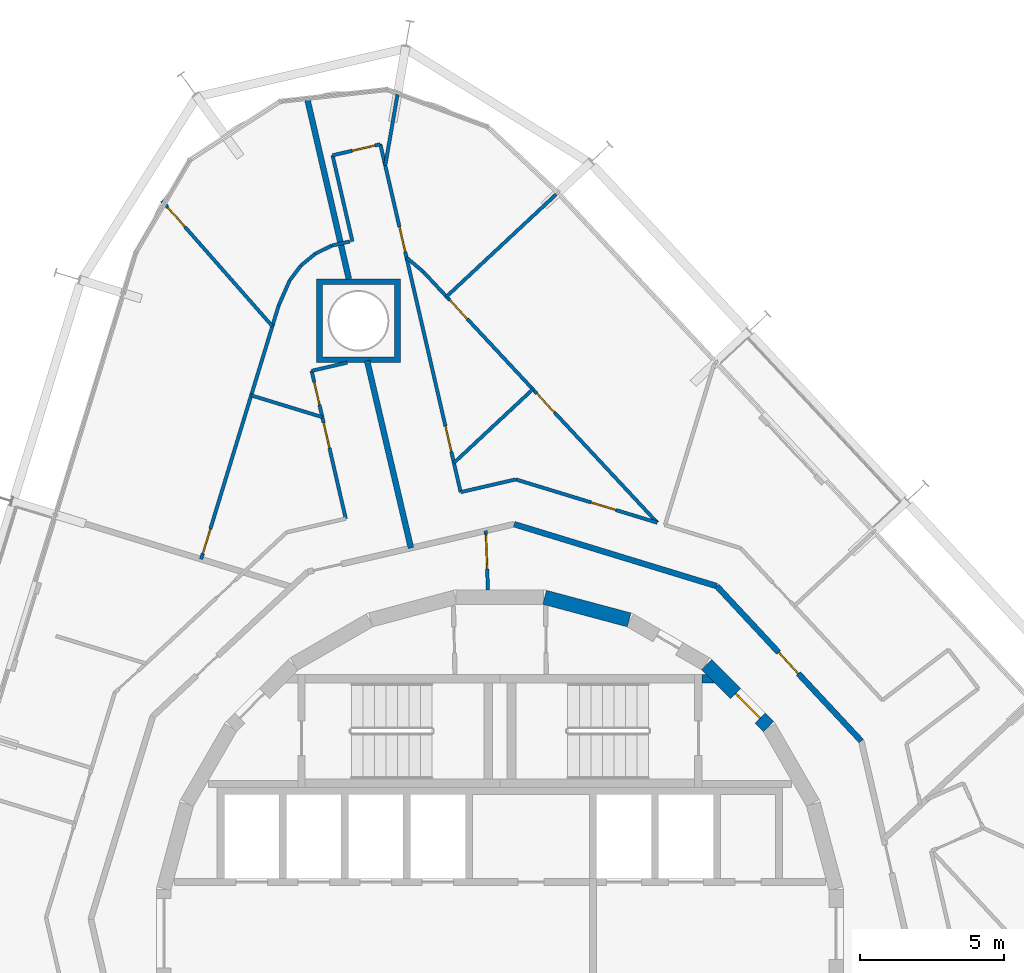
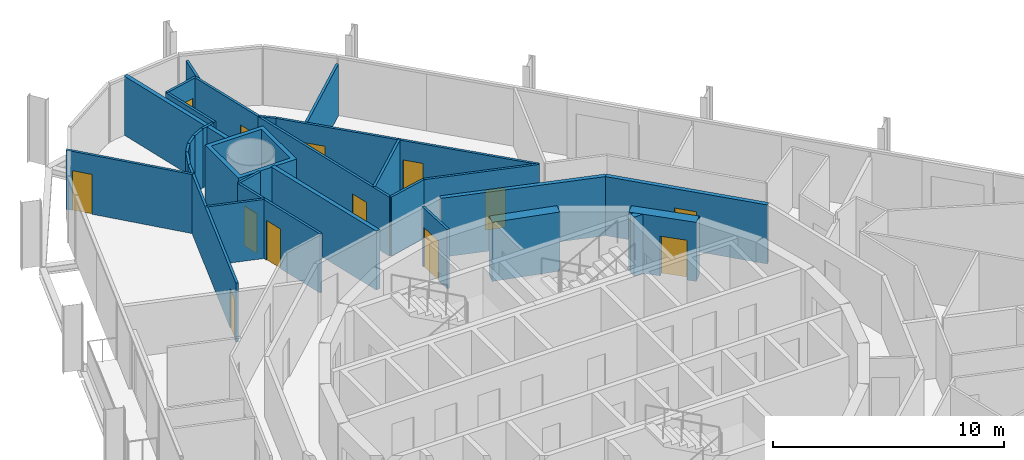
# One storey, part 16 of 18: 30 walls, 13 doors, 13 openings.
"""IFC4 building model written with IfcOpenShell, lengths in metres."""

from ifc_helpers import new_model, si_unit, direction, frame, frame_2d, origin, place, context, subcontext, project, spatial, polyline, rectangle, outline, extrude, material, layer, layer_set, type_object, element, fill, save


model = new_model("IFC4")

# Units and contexts
model_context = context("Model", 3, precision=1e-05, world=origin(), true_north=direction((0.0, 1.0)))
body_context = subcontext(model_context, "Body", "Model", "MODEL_VIEW")
ifc_project = project(units=[si_unit("LENGTHUNIT", "METRE"), si_unit("AREAUNIT", "SQUARE_METRE"), si_unit("VOLUMEUNIT", "CUBIC_METRE"), si_unit("PLANEANGLEUNIT", "RADIAN"), si_unit("MASSUNIT", "GRAM", prefix="KILO")], contexts=[model_context])

# Site, building, storey
site_placement = place(None, origin())
site = spatial("IfcSite", under=ifc_project, at=site_placement, CompositionType="ELEMENT")
building_placement = place(site_placement, origin())
building = spatial("IfcBuilding", under=site, at=building_placement, Name="Spindle Arch Residences", CompositionType="ELEMENT")
storey_placement = place(building_placement, frame((0.0, 0.0, 123.89990234375)))
storey = spatial("IfcBuildingStorey", under=building, at=storey_placement, Name="L30", CompositionType="ELEMENT", Elevation=123.89990234375)

# Wall, opening, door
ifc_material_1 = material(Name="Concrete C50/60", Category="concrete")
ifc_layer_1 = layer(ifc_material_1, 0.5)
ifc_layer_set_1 = layer_set([ifc_layer_1], Name="Core outline wall 500")
wall_type_1 = type_object("IfcWallType", Name="Core outline wall 500", PredefinedType="SHEAR", material=ifc_layer_set_1)
wall_1_placement = place(storey_placement, frame((9.30810546875, 7.163818359375, 0.0), z_axis=(0.0, 0.0, 1.0), x_axis=(-0.707106781187, 0.707106781187, 0.0)))
wall_1 = element("IfcWall", 1, at=wall_1_placement, inside=storey, type_object=wall_type_1, Name="Core outline wall 9", PredefinedType="SHEAR", context=body_context, shape_type="SweptSolid", body=[
    extrude(rectangle(XDim=3.032470703125, YDim=0.5, at=frame_2d((1.51611328125, 0.0))), origin(), (0.0, 0.0, 1.0), 3.1201171875),
])
opening_1_placement = place(wall_1_placement, frame((0.416259765625, 0.0, 0.0)))
opening_1 = element("IfcOpeningElement", 2, at=opening_1_placement, cuts=wall_1, Name="Opening R3B1-AD01", PredefinedType="OPENING", context=body_context, shape_type="SweptSolid", body=[
    extrude(rectangle(XDim=1.199951171875, YDim=2.10009765625, at=frame_2d((0.60009765625, 1.050048828125))), frame((0.0, 0.260009765625, 0.0), z_axis=(0.0, -1.0, 0.0), x_axis=(1.0, 0.0, 0.0)), (0.0, 0.0, 1.0), 0.52001953125),
])
ifc_material_2 = material(Name="Steel, fire-resisting door", Category="steel")
door_type_1 = type_object("IfcDoorType", Name="Stair airlock door 1200x2100", OperationType="SINGLE_SWING_LEFT", PredefinedType="DOOR", material=ifc_material_2)
door_1_placement = place(opening_1_placement, origin())
door_1 = element("IfcDoor", 3, at=door_1_placement, inside=storey, type_object=door_type_1, Name="Stair airlock door R3B1-AD01", OperationType="SINGLE_SWING_RIGHT", OverallHeight=2.10009765625, OverallWidth=1.199951171875, PredefinedType="DOOR", context=body_context, shape_type="SweptSolid", body=[
    extrude(rectangle(XDim=1.199951171875, YDim=2.10009765625, at=frame_2d((0.60009765625, 1.050048828125))), frame((0.0, 0.02490234375, 0.0), z_axis=(0.0, -1.0, 0.0), x_axis=(1.0, 0.0, 0.0)), (0.0, 0.0, 1.0), 0.050048828125),
])
fill(opening_1, door_1)

# Wall
wall_2_placement = place(storey_placement, frame((4.479248046875, 10.858154296875, 0.0), z_axis=(0.0, 0.0, 1.0), x_axis=(-0.965948410781, 0.258734743916, 0.0)))
element("IfcWall", 4, at=wall_2_placement, inside=storey, type_object=wall_type_1, Name="Core outline wall 11", PredefinedType="SHEAR", context=body_context, shape_type="SweptSolid", body=[
    extrude(rectangle(XDim=3.03271484375, YDim=0.5, at=frame_2d((1.516357421875, 0.0))), origin(), (0.0, 0.0, 1.0), 3.1201171875),
])

# Wall, opening, door
ifc_material_3 = material(Name="Plasterboard on steel studs", Category="steel")
ifc_layer_2 = layer(ifc_material_3, 0.1201171875)
ifc_layer_set_2 = layer_set([ifc_layer_2], Name="Corridor division wall 120")
wall_type_2 = type_object("IfcWallType", Name="Corridor division wall 120", PredefinedType="PARTITIONING", material=ifc_layer_set_2)
wall_3_placement = place(storey_placement, frame((-0.487060546875, 13.947998046875, 0.0), z_axis=(0.0, 0.0, 1.0), x_axis=(0.034859752231, -0.999392214135, 0.0)))
wall_3 = element("IfcWall", 5, at=wall_3_placement, inside=storey, type_object=wall_type_2, Name="Corridor division wall R3B1-W001", PredefinedType="PARTITIONING", context=body_context, shape_type="SweptSolid", body=[
    extrude(rectangle(XDim=2.052001953125, YDim=0.1201171875, at=frame_2d((1.02587890625, 0.0))), origin(), (0.0, 0.0, 1.0), 3.1201171875),
])
opening_2_placement = place(wall_3_placement, frame((0.125, 0.0, 0.0)))
opening_2 = element("IfcOpeningElement", 6, at=opening_2_placement, cuts=wall_3, Name="Opening R3B1-CD01", PredefinedType="OPENING", context=body_context, shape_type="SweptSolid", body=[
    extrude(rectangle(XDim=1.199951171875, YDim=2.10009765625, at=frame_2d((0.60009765625, 1.050048828125))), frame((0.0, 0.070068359375, 0.0), z_axis=(0.0, -1.0, 0.0), x_axis=(1.0, 0.0, 0.0)), (0.0, 0.0, 1.0), 0.14013671875),
])
ifc_material_4 = material(Name="Steel, fire-resisting door", Category="steel")
door_type_2 = type_object("IfcDoorType", Name="Corridor division door 1200x2100", OperationType="NOTDEFINED", PredefinedType="DOOR", material=ifc_material_4)
door_2_placement = place(opening_2_placement, origin())
door_2 = element("IfcDoor", 7, at=door_2_placement, inside=storey, type_object=door_type_2, Name="Corridor division door R3B1-CD01", OperationType="DOUBLE_DOOR_SINGLE_SWING", OverallHeight=2.10009765625, OverallWidth=1.199951171875, PredefinedType="DOOR", context=body_context, shape_type="SweptSolid", body=[
    extrude(rectangle(XDim=1.199951171875, YDim=2.10009765625, at=frame_2d((0.60009765625, 1.050048828125))), frame((0.0, 0.02490234375, 0.0), z_axis=(0.0, -1.0, 0.0), x_axis=(1.0, 0.0, 0.0)), (0.0, 0.0, 1.0), 0.050048828125),
])
fill(opening_2, door_2)

ifc_material_5 = material(Name="Calcium silicate block, plastered")
ifc_layer_3 = layer(ifc_material_5, 0.199951171875)
ifc_layer_set_3 = layer_set([ifc_layer_3], Name="Corridor wall 200")
wall_type_3 = type_object("IfcWallType", Name="Corridor wall 200", PredefinedType="STANDARD", material=ifc_layer_set_3)
wall_4_placement = place(storey_placement, frame((12.523193359375, 6.65869140625, 0.0), z_axis=(0.0, 0.0, 1.0), x_axis=(-0.682001841105, 0.731350455479, 0.0)))
wall_4 = element("IfcWall", 8, at=wall_4_placement, inside=storey, type_object=wall_type_3, Name="Corridor wall R3B1-W005", PredefinedType="STANDARD", context=body_context, shape_type="SweptSolid", body=[
    extrude(rectangle(XDim=7.341796875, YDim=0.199951171875, at=frame_2d((3.6708984375, 0.0))), origin(), (0.0, 0.0, 1.0), 3.1201171875),
])
opening_3_placement = place(wall_4_placement, frame((3.199951171875, 0.0, 0.0)))
opening_3 = element("IfcOpeningElement", 9, at=opening_3_placement, cuts=wall_4, Name="Opening R3B1-FD01", PredefinedType="OPENING", context=body_context, shape_type="SweptSolid", body=[
    extrude(rectangle(XDim=1.0, YDim=2.10009765625, at=frame_2d((0.5, 1.050048828125))), frame((0.0, 0.10986328125, 0.0), z_axis=(0.0, -1.0, 0.0), x_axis=(1.0, 0.0, 0.0)), (0.0, 0.0, 1.0), 0.219970703125),
])
ifc_material_6 = material(Name="Timber, fire-resisting door set", Category="wood")
door_type_3 = type_object("IfcDoorType", Name="Flat entrance door 1000x2100", OperationType="NOTDEFINED", PredefinedType="DOOR", material=ifc_material_6)
door_3_placement = place(opening_3_placement, origin())
door_3 = element("IfcDoor", 10, at=door_3_placement, inside=storey, type_object=door_type_3, Name="Flat entrance door R3B1-FD01", OperationType="SINGLE_SWING_RIGHT", OverallHeight=2.10009765625, OverallWidth=1.0, PredefinedType="DOOR", context=body_context, shape_type="SweptSolid", body=[
    extrude(rectangle(XDim=1.0, YDim=2.10009765625, at=frame_2d((0.5, 1.050048828125))), frame((0.0, 0.02490234375, 0.0), z_axis=(0.0, -1.0, 0.0), x_axis=(1.0, 0.0, 0.0)), (0.0, 0.0, 1.0), 0.050048828125),
])
fill(opening_3, door_3)

# Wall
wall_5_placement = place(storey_placement, frame((7.51611328125, 12.028076171875, 0.0), z_axis=(0.0, 0.0, 1.0), x_axis=(-0.956306642771, 0.292365533182, 0.0)))
element("IfcWall", 11, at=wall_5_placement, inside=storey, type_object=wall_type_3, Name="Corridor wall R3B1-W006", PredefinedType="STANDARD", context=body_context, shape_type="SweptSolid", body=[
    extrude(rectangle(XDim=7.341796875, YDim=0.199951171875, at=frame_2d((3.6708984375, 0.0))), origin(), (0.0, 0.0, 1.0), 3.1201171875),
])

# Wall, opening, door
ifc_material_7 = material(Name="Plasterboard on steel studs", Category="steel")
ifc_layer_4 = layer(ifc_material_7, 0.1201171875)
ifc_layer_set_4 = layer_set([ifc_layer_4], Name="Flat partition 120")
wall_type_4 = type_object("IfcWallType", Name="Flat partition 120", PredefinedType="PARTITIONING", material=ifc_layer_set_4)
wall_6_placement = place(storey_placement, frame((5.45263671875, 14.2275390625, 0.0), z_axis=(0.0, 0.0, 1.0), x_axis=(-0.95630868333, 0.292358858576, 0.0)))
wall_6 = element("IfcWall", 12, at=wall_6_placement, inside=storey, type_object=wall_type_4, Name="Flat partition R3B1-W033", PredefinedType="PARTITIONING", context=body_context, shape_type="SweptSolid", body=[
    extrude(rectangle(XDim=5.12744140625, YDim=0.1201171875, at=frame_2d((2.563720703125, 0.0))), origin(), (0.0, 0.0, 1.0), 3.1201171875),
])
opening_4_placement = place(wall_6_placement, frame((1.5, 0.0, 0.0)))
opening_4 = element("IfcOpeningElement", 13, at=opening_4_placement, cuts=wall_6, Name="Opening R3B1-ID03", PredefinedType="OPENING", context=body_context, shape_type="SweptSolid", body=[
    extrude(rectangle(XDim=0.89990234375, YDim=2.10009765625, at=frame_2d((0.449951171875, 1.050048828125))), frame((0.0, 0.070068359375, 0.0), z_axis=(0.0, -1.0, 0.0), x_axis=(1.0, 0.0, 0.0)), (0.0, 0.0, 1.0), 0.14013671875),
])
ifc_material_8 = material(Name="Timber door set", Category="wood")
door_type_4 = type_object("IfcDoorType", Name="Room door 900x2100", OperationType="NOTDEFINED", PredefinedType="DOOR", material=ifc_material_8)
door_4_placement = place(opening_4_placement, origin())
door_4 = element("IfcDoor", 14, at=door_4_placement, inside=storey, type_object=door_type_4, Name="Room door R3B1-ID03", OperationType="SINGLE_SWING_RIGHT", OverallHeight=2.10009765625, OverallWidth=0.89990234375, PredefinedType="DOOR", context=body_context, shape_type="SweptSolid", body=[
    extrude(rectangle(XDim=0.89990234375, YDim=2.10009765625, at=frame_2d((0.449951171875, 1.050048828125))), frame((0.0, 0.02490234375, 0.0), z_axis=(0.0, -1.0, 0.0), x_axis=(1.0, 0.0, 0.0)), (0.0, 0.0, 1.0), 0.050048828125),
])
fill(opening_4, door_4)

# Wall
wall_7_placement = place(storey_placement, frame((0.54931640625, 15.7265625, 0.0), z_axis=(0.0, 0.0, 1.0), x_axis=(-0.974374390785, -0.22493231556, 0.0)))
element("IfcWall", 15, at=wall_7_placement, inside=storey, type_object=wall_type_4, Name="Flat partition R3B1-W034", PredefinedType="PARTITIONING", context=body_context, shape_type="SweptSolid", body=[
    extrude(rectangle(XDim=1.959228515625, YDim=0.1201171875, at=frame_2d((0.9794921875, 0.0))), origin(), (0.0, 0.0, 1.0), 3.1201171875),
])

# Wall, opening, door
wall_8_placement = place(storey_placement, frame((-1.359619140625, 15.285888671875, 0.0), z_axis=(0.0, 0.0, 1.0), x_axis=(-0.224974943676, 0.97436454919, 0.0)))
wall_8 = element("IfcWall", 16, at=wall_8_placement, inside=storey, type_object=wall_type_4, Name="Flat partition R3B1-W035", PredefinedType="PARTITIONING", context=body_context, shape_type="SweptSolid", body=[
    extrude(rectangle(XDim=8.3408203125, YDim=0.1201171875, at=frame_2d((4.17041015625, 0.0))), origin(), (0.0, 0.0, 1.0), 3.1201171875),
])
opening_5_placement = place(wall_8_placement, frame((1.441162109375, 0.0, 0.0)))
opening_5 = element("IfcOpeningElement", 17, at=opening_5_placement, cuts=wall_8, Name="Opening R3B1-ID05", PredefinedType="OPENING", context=body_context, shape_type="SweptSolid", body=[
    extrude(rectangle(XDim=0.89990234375, YDim=2.10009765625, at=frame_2d((0.449951171875, 1.050048828125))), frame((0.0, 0.070068359375, 0.0), z_axis=(0.0, -1.0, 0.0), x_axis=(1.0, 0.0, 0.0)), (0.0, 0.0, 1.0), 0.14013671875),
])
door_5_placement = place(opening_5_placement, origin())
door_5 = element("IfcDoor", 18, at=door_5_placement, inside=storey, type_object=door_type_4, Name="Room door R3B1-ID05", OperationType="SINGLE_SWING_RIGHT", OverallHeight=2.10009765625, OverallWidth=0.89990234375, PredefinedType="DOOR", context=body_context, shape_type="SweptSolid", body=[
    extrude(rectangle(XDim=0.89990234375, YDim=2.10009765625, at=frame_2d((0.449951171875, 1.050048828125))), frame((0.0, 0.02490234375, 0.0), z_axis=(0.0, -1.0, 0.0), x_axis=(1.0, 0.0, 0.0)), (0.0, 0.0, 1.0), 0.050048828125),
])
fill(opening_5, door_5)

wall_9_placement = place(storey_placement, frame((-3.236083984375, 23.412841796875, 0.0), z_axis=(0.0, 0.0, 1.0), x_axis=(-0.224934720918, 0.97437383551, 0.0)))
wall_9 = element("IfcWall", 19, at=wall_9_placement, inside=storey, type_object=wall_type_4, Name="Flat partition R3B1-W036", PredefinedType="PARTITIONING", context=body_context, shape_type="SweptSolid", body=[
    extrude(rectangle(XDim=4.030029296875, YDim=0.1201171875, at=frame_2d((2.01513671875, 0.0))), origin(), (0.0, 0.0, 1.0), 3.1201171875),
])
opening_6_placement = place(wall_9_placement, frame((0.199951171875, 0.0, 0.0)))
opening_6 = element("IfcOpeningElement", 20, at=opening_6_placement, cuts=wall_9, Name="Opening R3B1-ID04", PredefinedType="OPENING", context=body_context, shape_type="SweptSolid", body=[
    extrude(rectangle(XDim=0.89990234375, YDim=2.10009765625, at=frame_2d((0.449951171875, 1.050048828125))), frame((0.0, 0.070068359375, 0.0), z_axis=(0.0, -1.0, 0.0), x_axis=(1.0, 0.0, 0.0)), (0.0, 0.0, 1.0), 0.14013671875),
])
door_6_placement = place(opening_6_placement, origin())
door_6 = element("IfcDoor", 21, at=door_6_placement, inside=storey, type_object=door_type_4, Name="Room door R3B1-ID04", OperationType="SINGLE_SWING_LEFT", OverallHeight=2.10009765625, OverallWidth=0.89990234375, PredefinedType="DOOR", context=body_context, shape_type="SweptSolid", body=[
    extrude(rectangle(XDim=0.89990234375, YDim=2.10009765625, at=frame_2d((0.449951171875, 1.050048828125))), frame((0.0, 0.02490234375, 0.0), z_axis=(0.0, -1.0, 0.0), x_axis=(1.0, 0.0, 0.0)), (0.0, 0.0, 1.0), 0.050048828125),
])
fill(opening_6, door_6)

wall_10_placement = place(storey_placement, frame((-4.142578125, 27.339599609375, 0.0), z_axis=(0.0, 0.0, 1.0), x_axis=(-0.974345183359, -0.22505880046, 0.0)))
wall_10 = element("IfcWall", 22, at=wall_10_placement, inside=storey, type_object=wall_type_4, Name="Flat partition R3B1-W037", PredefinedType="PARTITIONING", context=body_context, shape_type="SweptSolid", body=[
    extrude(rectangle(XDim=1.699951171875, YDim=0.1201171875, at=frame_2d((0.85009765625, 0.0))), origin(), (0.0, 0.0, 1.0), 3.1201171875),
])
opening_7_placement = place(wall_10_placement, frame((0.199951171875, 0.0, 0.0)))
opening_7 = element("IfcOpeningElement", 23, at=opening_7_placement, cuts=wall_10, Name="Opening R3B1-BD01", PredefinedType="OPENING", context=body_context, shape_type="SweptSolid", body=[
    extrude(rectangle(XDim=0.800048828125, YDim=2.10009765625, at=frame_2d((0.39990234375, 1.050048828125))), frame((0.0, 0.070068359375, 0.0), z_axis=(0.0, -1.0, 0.0), x_axis=(1.0, 0.0, 0.0)), (0.0, 0.0, 1.0), 0.14013671875),
])
ifc_material_9 = material(Name="Timber door set", Category="wood")
door_type_5 = type_object("IfcDoorType", Name="Bathroom door 800x2100", OperationType="NOTDEFINED", PredefinedType="DOOR", material=ifc_material_9)
door_7_placement = place(opening_7_placement, origin())
door_7 = element("IfcDoor", 24, at=door_7_placement, inside=storey, type_object=door_type_5, Name="Bathroom door R3B1-BD01", OperationType="SINGLE_SWING_RIGHT", OverallHeight=2.10009765625, OverallWidth=0.800048828125, PredefinedType="DOOR", context=body_context, shape_type="SweptSolid", body=[
    extrude(rectangle(XDim=0.800048828125, YDim=2.10009765625, at=frame_2d((0.39990234375, 1.050048828125))), frame((0.0, 0.02490234375, 0.0), z_axis=(0.0, -1.0, 0.0), x_axis=(1.0, 0.0, 0.0)), (0.0, 0.0, 1.0), 0.050048828125),
])
fill(opening_7, door_7)

# Walls
wall_11_placement = place(storey_placement, frame((-5.798828125, 26.95703125, 0.0), z_axis=(0.0, 0.0, 1.0), x_axis=(0.224876960008, -0.974387167843, 0.0)))
element("IfcWall", 25, at=wall_11_placement, inside=storey, type_object=wall_type_4, Name="Flat partition R3B1-W038", PredefinedType="PARTITIONING", context=body_context, shape_type="SweptSolid", body=[
    extrude(rectangle(XDim=3.06494140625, YDim=0.1201171875, at=frame_2d((1.532470703125, 0.0))), origin(), (0.0, 0.0, 1.0), 3.1201171875),
])
wall_12_placement = place(storey_placement, frame((-5.204833984375, 23.97119140625, 0.0), z_axis=(0.0, 0.0, 1.0), x_axis=(-0.974410422398, -0.224776174722, 0.0)))
element("IfcWall", 26, at=wall_12_placement, inside=storey, type_object=wall_type_4, Name="Flat partition R3B1-W039", PredefinedType="PARTITIONING", context=body_context, shape_type="SweptSolid", body=[
    extrude(rectangle(XDim=0.641845703125, YDim=0.1201171875, at=frame_2d((0.32080078125, 0.0))), origin(), (0.0, 0.0, 1.0), 3.1201171875),
])

# Wall, openings, doors
wall_13_placement = place(storey_placement, frame((-2.6455078125, 22.91162109375, 0.0), z_axis=(0.0, 0.0, 1.0), x_axis=(0.68200318122, -0.731349205788, 0.0)))
wall_13 = element("IfcWall", 27, at=wall_13_placement, inside=storey, type_object=wall_type_4, Name="Flat partition R3B1-W042", PredefinedType="PARTITIONING", context=body_context, shape_type="SweptSolid", body=[
    extrude(rectangle(XDim=11.8740234375, YDim=0.1201171875, at=frame_2d((5.93701171875, 0.0))), origin(), (0.0, 0.0, 1.0), 3.1201171875),
])
opening_8_placement = place(wall_13_placement, frame((5.752197265625, 0.0, 0.0)))
opening_8 = element("IfcOpeningElement", 28, at=opening_8_placement, cuts=wall_13, Name="Opening R3B1-ID06", PredefinedType="OPENING", context=body_context, shape_type="SweptSolid", body=[
    extrude(rectangle(XDim=0.89990234375, YDim=2.10009765625, at=frame_2d((0.449951171875, 1.050048828125))), frame((0.0, 0.070068359375, 0.0), z_axis=(0.0, -1.0, 0.0), x_axis=(1.0, 0.0, 0.0)), (0.0, 0.0, 1.0), 0.14013671875),
])
opening_9_placement = place(wall_13_placement, frame((1.32421875, 0.0, 0.0)))
opening_9 = element("IfcOpeningElement", 29, at=opening_9_placement, cuts=wall_13, Name="Opening R3B1-ID07", PredefinedType="OPENING", context=body_context, shape_type="SweptSolid", body=[
    extrude(rectangle(XDim=0.89990234375, YDim=2.10009765625, at=frame_2d((0.449951171875, 1.050048828125))), frame((0.0, 0.070068359375, 0.0), z_axis=(0.0, -1.0, 0.0), x_axis=(1.0, 0.0, 0.0)), (0.0, 0.0, 1.0), 0.14013671875),
])
door_8_placement = place(opening_8_placement, origin())
door_8 = element("IfcDoor", 30, at=door_8_placement, inside=storey, type_object=door_type_4, Name="Room door R3B1-ID06", OperationType="SINGLE_SWING_RIGHT", OverallHeight=2.10009765625, OverallWidth=0.89990234375, PredefinedType="DOOR", context=body_context, shape_type="SweptSolid", body=[
    extrude(rectangle(XDim=0.89990234375, YDim=2.10009765625, at=frame_2d((0.449951171875, 1.050048828125))), frame((0.0, 0.02490234375, 0.0), z_axis=(0.0, -1.0, 0.0), x_axis=(1.0, 0.0, 0.0)), (0.0, 0.0, 1.0), 0.050048828125),
])
fill(opening_8, door_8)
door_9_placement = place(opening_9_placement, origin())
door_9 = element("IfcDoor", 31, at=door_9_placement, inside=storey, type_object=door_type_4, Name="Room door R3B1-ID07", OperationType="SINGLE_SWING_LEFT", OverallHeight=2.10009765625, OverallWidth=0.89990234375, PredefinedType="DOOR", context=body_context, shape_type="SweptSolid", body=[
    extrude(rectangle(XDim=0.89990234375, YDim=2.10009765625, at=frame_2d((0.449951171875, 1.050048828125))), frame((0.0, 0.02490234375, 0.0), z_axis=(0.0, -1.0, 0.0), x_axis=(1.0, 0.0, 0.0)), (0.0, 0.0, 1.0), 0.050048828125),
])
fill(opening_9, door_9)

# Walls
wall_14_placement = place(storey_placement, frame((1.14111328125, 18.850830078125, 0.0), z_axis=(0.0, 0.0, 1.0), x_axis=(-0.731352611136, -0.68199952946, 0.0)))
element("IfcWall", 32, at=wall_14_placement, inside=storey, type_object=wall_type_4, Name="Flat partition R3B1-W044", PredefinedType="PARTITIONING", context=body_context, shape_type="SweptSolid", body=[
    extrude(rectangle(XDim=3.73974609375, YDim=0.1201171875, at=frame_2d((1.869873046875, 0.0))), origin(), (0.0, 0.0, 1.0), 3.1201171875),
])
wall_15_placement = place(storey_placement, frame((-3.236083984375, 23.412841796875, 0.0), z_axis=(0.0, 0.0, 1.0), x_axis=(0.762429029489, -0.647071846855, 0.0)))
element("IfcWall", 33, at=wall_15_placement, inside=storey, type_object=wall_type_4, Name="Flat partition R3B1-W045", PredefinedType="PARTITIONING", context=body_context, shape_type="SweptSolid", body=[
    extrude(rectangle(XDim=0.774658203125, YDim=0.1201171875, at=frame_2d((0.38720703125, 0.0))), origin(), (0.0, 0.0, 1.0), 3.1201171875),
])
wall_16_placement = place(storey_placement, frame((-5.292724609375, 19.7734375, 0.0), z_axis=(0.0, 0.0, 1.0), x_axis=(-0.974391195695, -0.224859506699, 0.0)))
element("IfcWall", 34, at=wall_16_placement, inside=storey, type_object=wall_type_4, Name="Flat partition R3B1-W047", PredefinedType="PARTITIONING", context=body_context, shape_type="SweptSolid", body=[
    extrude(rectangle(XDim=1.263916015625, YDim=0.1201171875, at=frame_2d((0.6318359375, 0.0))), origin(), (0.0, 0.0, 1.0), 3.1201171875),
])

# Wall, openings, doors
wall_17_placement = place(storey_placement, frame((-6.524169921875, 19.4892578125, 0.0), z_axis=(0.0, 0.0, 1.0), x_axis=(0.22494768659, -0.974370842286, 0.0)))
wall_17 = element("IfcWall", 35, at=wall_17_placement, inside=storey, type_object=wall_type_4, Name="Flat partition R3B1-W048", PredefinedType="PARTITIONING", context=body_context, shape_type="SweptSolid", body=[
    extrude(rectangle(XDim=5.25732421875, YDim=0.1201171875, at=frame_2d((2.628662109375, 0.0))), origin(), (0.0, 0.0, 1.0), 3.1201171875),
])
opening_10_placement = place(wall_17_placement, frame((0.39990234375, 0.0, 0.0)))
opening_10 = element("IfcOpeningElement", 36, at=opening_10_placement, cuts=wall_17, Name="Opening R3B1-BD02", PredefinedType="OPENING", context=body_context, shape_type="SweptSolid", body=[
    extrude(rectangle(XDim=0.800048828125, YDim=2.10009765625, at=frame_2d((0.39990234375, 1.050048828125))), frame((0.0, 0.070068359375, 0.0), z_axis=(0.0, -1.0, 0.0), x_axis=(1.0, 0.0, 0.0)), (0.0, 0.0, 1.0), 0.14013671875),
])
opening_11_placement = place(wall_17_placement, frame((1.84619140625, 0.0, 0.0)))
opening_11 = element("IfcOpeningElement", 37, at=opening_11_placement, cuts=wall_17, Name="Opening R3B1-ID08", PredefinedType="OPENING", context=body_context, shape_type="SweptSolid", body=[
    extrude(rectangle(XDim=0.89990234375, YDim=2.10009765625, at=frame_2d((0.449951171875, 1.050048828125))), frame((0.0, 0.070068359375, 0.0), z_axis=(0.0, -1.0, 0.0), x_axis=(1.0, 0.0, 0.0)), (0.0, 0.0, 1.0), 0.14013671875),
])
door_10_placement = place(opening_10_placement, origin())
door_10 = element("IfcDoor", 38, at=door_10_placement, inside=storey, type_object=door_type_5, Name="Bathroom door R3B1-BD02", OperationType="SINGLE_SWING_LEFT", OverallHeight=2.10009765625, OverallWidth=0.800048828125, PredefinedType="DOOR", context=body_context, shape_type="SweptSolid", body=[
    extrude(rectangle(XDim=0.800048828125, YDim=2.10009765625, at=frame_2d((0.39990234375, 1.050048828125))), frame((0.0, 0.02490234375, 0.0), z_axis=(0.0, -1.0, 0.0), x_axis=(1.0, 0.0, 0.0)), (0.0, 0.0, 1.0), 0.050048828125),
])
fill(opening_10, door_10)
door_11_placement = place(opening_11_placement, origin())
door_11 = element("IfcDoor", 39, at=door_11_placement, inside=storey, type_object=door_type_4, Name="Room door R3B1-ID08", OperationType="SINGLE_SWING_LEFT", OverallHeight=2.10009765625, OverallWidth=0.89990234375, PredefinedType="DOOR", context=body_context, shape_type="SweptSolid", body=[
    extrude(rectangle(XDim=0.89990234375, YDim=2.10009765625, at=frame_2d((0.449951171875, 1.050048828125))), frame((0.0, 0.02490234375, 0.0), z_axis=(0.0, -1.0, 0.0), x_axis=(1.0, 0.0, 0.0)), (0.0, 0.0, 1.0), 0.050048828125),
])
fill(opening_11, door_11)

# Wall, opening, door
wall_18_placement = place(storey_placement, frame((-10.35400390625, 12.9609375, 0.0), z_axis=(0.0, 0.0, 1.0), x_axis=(0.292379778045, 0.956302287663, 0.0)))
wall_18 = element("IfcWall", 40, at=wall_18_placement, inside=storey, type_object=wall_type_4, Name="Flat partition R3B1-W051", PredefinedType="PARTITIONING", context=body_context, shape_type="SweptSolid", body=[
    extrude(rectangle(XDim=9.193603515625, YDim=0.1201171875, at=frame_2d((4.5966796875, 0.0))), origin(), (0.0, 0.0, 1.0), 3.1201171875),
])
opening_12_placement = place(wall_18_placement, frame((0.199951171875, 0.0, 0.0)))
opening_12 = element("IfcOpeningElement", 41, at=opening_12_placement, cuts=wall_18, Name="Opening R3B1-ID09", PredefinedType="OPENING", context=body_context, shape_type="SweptSolid", body=[
    extrude(rectangle(XDim=0.89990234375, YDim=2.10009765625, at=frame_2d((0.449951171875, 1.050048828125))), frame((0.0, 0.070068359375, 0.0), z_axis=(0.0, -1.0, 0.0), x_axis=(1.0, 0.0, 0.0)), (0.0, 0.0, 1.0), 0.14013671875),
])
door_12_placement = place(opening_12_placement, origin())
door_12 = element("IfcDoor", 42, at=door_12_placement, inside=storey, type_object=door_type_4, Name="Room door R3B1-ID09", OperationType="SINGLE_SWING_LEFT", OverallHeight=2.10009765625, OverallWidth=0.89990234375, PredefinedType="DOOR", context=body_context, shape_type="SweptSolid", body=[
    extrude(rectangle(XDim=0.89990234375, YDim=2.10009765625, at=frame_2d((0.449951171875, 1.050048828125))), frame((0.0, 0.02490234375, 0.0), z_axis=(0.0, -1.0, 0.0), x_axis=(1.0, 0.0, 0.0)), (0.0, 0.0, 1.0), 0.050048828125),
])
fill(opening_12, door_12)

# Walls
wall_19_placement = place(storey_placement, frame((-7.666015625, 21.752685546875, 0.0), z_axis=(0.0, 0.0, 1.0), x_axis=(0.401562829944, 0.915831476642, 0.0)))
element("IfcWall", 43, at=wall_19_placement, inside=storey, type_object=wall_type_4, Name="Flat partition R3B1-W052", PredefinedType="PARTITIONING", context=body_context, shape_type="SweptSolid", body=[
    extrude(rectangle(XDim=0.946533203125, YDim=0.1201171875, at=frame_2d((0.47314453125, 0.0))), origin(), (0.0, 0.0, 1.0), 3.1201171875),
])
wall_20_placement = place(storey_placement, frame((-7.285888671875, 22.61962890625, 0.0), z_axis=(0.0, 0.0, 1.0), x_axis=(0.601702575527, 0.798720233, 0.0)))
element("IfcWall", 44, at=wall_20_placement, inside=storey, type_object=wall_type_4, Name="Flat partition R3B1-W053", PredefinedType="PARTITIONING", context=body_context, shape_type="SweptSolid", body=[
    extrude(rectangle(XDim=0.641845703125, YDim=0.1201171875, at=frame_2d((0.32080078125, 0.0))), origin(), (0.0, 0.0, 1.0), 3.1201171875),
])
wall_21_placement = place(storey_placement, frame((-6.899658203125, 23.13232421875, 0.0), z_axis=(0.0, 0.0, 1.0), x_axis=(0.769653132962, 0.638462258025, 0.0)))
element("IfcWall", 45, at=wall_21_placement, inside=storey, type_object=wall_type_4, Name="Flat partition R3B1-W054", PredefinedType="PARTITIONING", context=body_context, shape_type="SweptSolid", body=[
    extrude(rectangle(XDim=0.64208984375, YDim=0.1201171875, at=frame_2d((0.321044921875, 0.0))), origin(), (0.0, 0.0, 1.0), 3.1201171875),
])
wall_22_placement = place(storey_placement, frame((-6.405517578125, 23.542236328125, 0.0), z_axis=(0.0, 0.0, 1.0), x_axis=(0.896245703043, 0.44355793283, 0.0)))
element("IfcWall", 46, at=wall_22_placement, inside=storey, type_object=wall_type_4, Name="Flat partition R3B1-W055", PredefinedType="PARTITIONING", context=body_context, shape_type="SweptSolid", body=[
    extrude(rectangle(XDim=0.641845703125, YDim=0.1201171875, at=frame_2d((0.32080078125, 0.0))), origin(), (0.0, 0.0, 1.0), 3.1201171875),
])

# Wall, opening, door
wall_23_placement = place(storey_placement, frame((-11.71337890625, 25.385009765625, 0.0), z_axis=(0.0, 0.0, 1.0), x_axis=(0.660694383024, -0.750655002142, 0.0)))
wall_23 = element("IfcWall", 47, at=wall_23_placement, inside=storey, type_object=wall_type_4, Name="Flat partition R3B1-W056", PredefinedType="PARTITIONING", context=body_context, shape_type="SweptSolid", body=[
    extrude(rectangle(XDim=5.794189453125, YDim=0.1201171875, at=frame_2d((2.89697265625, 0.0))), origin(), (0.0, 0.0, 1.0), 3.1201171875),
])
opening_13_placement = place(wall_23_placement, frame((0.300048828125, 0.0, 0.0)))
opening_13 = element("IfcOpeningElement", 48, at=opening_13_placement, cuts=wall_23, Name="Opening R3B1-ID10", PredefinedType="OPENING", context=body_context, shape_type="SweptSolid", body=[
    extrude(rectangle(XDim=0.89990234375, YDim=2.10009765625, at=frame_2d((0.449951171875, 1.050048828125))), frame((0.0, 0.070068359375, 0.0), z_axis=(0.0, -1.0, 0.0), x_axis=(1.0, 0.0, 0.0)), (0.0, 0.0, 1.0), 0.14013671875),
])
door_13_placement = place(opening_13_placement, origin())
door_13 = element("IfcDoor", 49, at=door_13_placement, inside=storey, type_object=door_type_4, Name="Room door R3B1-ID10", OperationType="SINGLE_SWING_LEFT", OverallHeight=2.10009765625, OverallWidth=0.89990234375, PredefinedType="DOOR", context=body_context, shape_type="SweptSolid", body=[
    extrude(rectangle(XDim=0.89990234375, YDim=2.10009765625, at=frame_2d((0.449951171875, 1.050048828125))), frame((0.0, 0.02490234375, 0.0), z_axis=(0.0, -1.0, 0.0), x_axis=(1.0, 0.0, 0.0)), (0.0, 0.0, 1.0), 0.050048828125),
])
fill(opening_13, door_13)

# Walls
wall_24_placement = place(storey_placement, frame((-8.6181640625, 18.638671875, 0.0), z_axis=(0.0, 0.0, 1.0), x_axis=(0.956305961168, -0.292367762647, 0.0)))
element("IfcWall", 50, at=wall_24_placement, inside=storey, type_object=wall_type_4, Name="Flat partition R3B1-W057", PredefinedType="PARTITIONING", context=body_context, shape_type="SweptSolid", body=[
    extrude(rectangle(XDim=2.576904296875, YDim=0.1201171875, at=frame_2d((1.28857421875, 0.0))), origin(), (0.0, 0.0, 1.0), 3.1201171875),
])
ifc_material_10 = material(Name="Plasterboard on steel studs", Category="steel")
ifc_layer_5 = layer(ifc_material_10, 0.1201171875)
ifc_layer_set_5 = layer_set([ifc_layer_5], Name="Flat partition 120 under beam 2730")
wall_type_5 = type_object("IfcWallType", Name="Flat partition 120 under beam 2730", PredefinedType="PARTITIONING", material=ifc_layer_set_5)
wall_25_placement = place(storey_placement, frame((1.951416015625, 25.606689453125, 0.0), z_axis=(0.0, 0.0, 1.0), x_axis=(-0.73134872518, -0.682003696601, 0.0)))
element("IfcWall", 51, at=wall_25_placement, inside=storey, type_object=wall_type_5, Name="Flat partition R3B1-W043", PredefinedType="PARTITIONING", context=body_context, shape_type="SweptSolid", body=[
    extrude(rectangle(XDim=5.199951171875, YDim=0.1201171875, at=frame_2d((2.60009765625, 0.0))), origin(), (0.0, 0.0, 1.0), 2.72998046875),
])
wall_26_placement = place(storey_placement, frame((-3.5478515625, 29.072265625, 0.0), z_axis=(0.0, 0.0, 1.0), x_axis=(-0.169756715849, -0.985486000623, 0.0)))
element("IfcWall", 52, at=wall_26_placement, inside=storey, type_object=wall_type_5, Name="Flat partition R3B1-W046", PredefinedType="PARTITIONING", context=body_context, shape_type="SweptSolid", body=[
    extrude(rectangle(XDim=2.50390625, YDim=0.1201171875, at=frame_2d((1.251953125, 0.0))), origin(), (0.0, 0.0, 1.0), 2.72998046875),
])
ifc_material_11 = material(Name="Calcium silicate block, plastered")
ifc_layer_6 = layer(ifc_material_11, 0.199951171875)
ifc_layer_set_6 = layer_set([ifc_layer_6], Name="Flat party wall 200")
wall_type_6 = type_object("IfcWallType", Name="Flat party wall 200", PredefinedType="STANDARD", material=ifc_layer_set_6)
wall_27_placement = place(storey_placement, frame((-4.601806640625, 19.8388671875, 0.0), z_axis=(0.0, 0.0, 1.0), x_axis=(0.227891855607, -0.973686449607, 0.0)))
element("IfcWall", 53, at=wall_27_placement, inside=storey, type_object=wall_type_6, Name="Flat party wall R3B1-W016", PredefinedType="STANDARD", context=body_context, shape_type="SweptSolid", body=[
    extrude(rectangle(XDim=6.66552734375, YDim=0.199951171875, at=frame_2d((3.332763671875, 0.0))), origin(), (0.0, 0.0, 1.0), 3.1201171875),
])
wall_28_placement = place(storey_placement, frame((-6.687255859375, 28.9658203125, 0.0), z_axis=(0.0, 0.0, 1.0), x_axis=(0.224945100086, -0.974371439415, 0.0)))
element("IfcWall", 54, at=wall_28_placement, inside=storey, type_object=wall_type_6, Name="Flat party wall R3B1-W017", PredefinedType="STANDARD", context=body_context, shape_type="SweptSolid", body=[
    extrude(rectangle(XDim=6.457763671875, YDim=0.199951171875, at=frame_2d((3.22900390625, 0.0))), origin(), (0.0, 0.0, 1.0), 3.1201171875),
])
ifc_material_12 = material(Name="Calcium silicate block, plastered")
ifc_layer_7 = layer(ifc_material_12, 0.199951171875)
ifc_layer_set_7 = layer_set([ifc_layer_7], Name="Mega-column casing wall 200")
wall_type_7 = type_object("IfcWallType", Name="Mega-column casing wall 200", PredefinedType="STANDARD", material=ifc_layer_set_7)
wall_29_placement = place(storey_placement, origin())
element("IfcWall", 55, at=wall_29_placement, inside=storey, type_object=wall_type_7, Name="Mega-column casing wall R3B1-WC01", PredefinedType="STANDARD", context=body_context, shape_type="SweptSolid", body=[
    extrude(outline(polyline([(-3.44970703125, 22.673583984375), (-3.44970703125, 19.7734375), (-6.349853515625, 19.7734375), (-6.349853515625, 22.673583984375), (-3.44970703125, 22.673583984375)]), holes=[polyline([(-6.14990234375, 19.973388671875), (-3.64990234375, 19.973388671875), (-3.64990234375, 22.473388671875), (-6.14990234375, 22.473388671875), (-6.14990234375, 19.973388671875)])]), origin(), (0.0, 0.0, 1.0), 3.1201171875),
])
ifc_material_13 = material(Name="Concrete C40/50", Category="concrete")
wall_type_8 = type_object("IfcWallType", Name="Stair airlock wall profile", PredefinedType="SHEAR", material=ifc_material_13)
wall_30_placement = place(storey_placement, origin())
element("IfcWall", 56, at=wall_30_placement, inside=storey, type_object=wall_type_8, Name="Stair ST-1 airlock wall N", PredefinedType="SHEAR", context=body_context, shape_type="SweptSolid", body=[
    extrude(outline(polyline([(7.4482421875, 8.669921875), (7.0, 8.669921875), (7.0, 8.969970703125), (7.148193359375, 8.969970703125), (7.4482421875, 8.669921875)])), origin(), (0.0, 0.0, 1.0), 3.1201171875),
])

save(model, "model.ifc")
